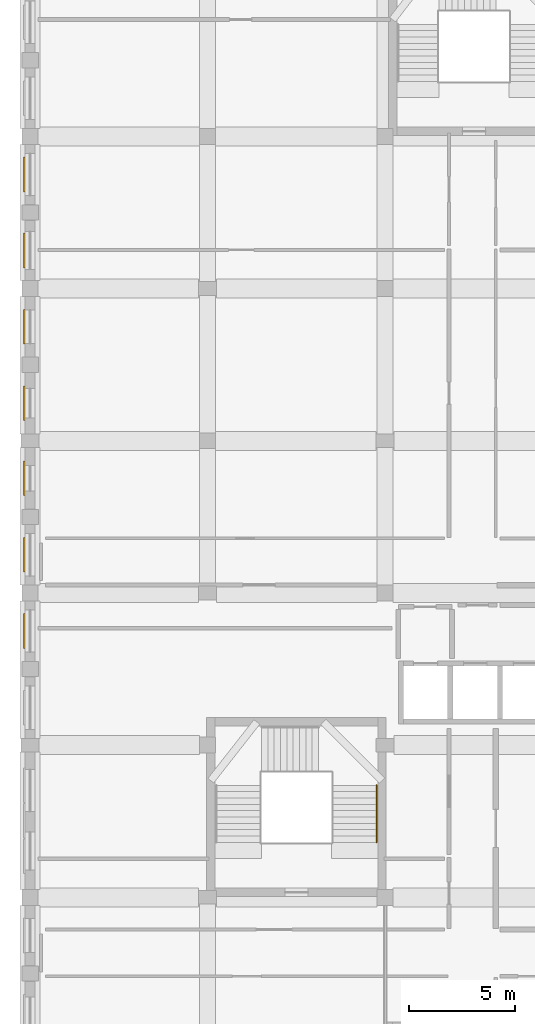
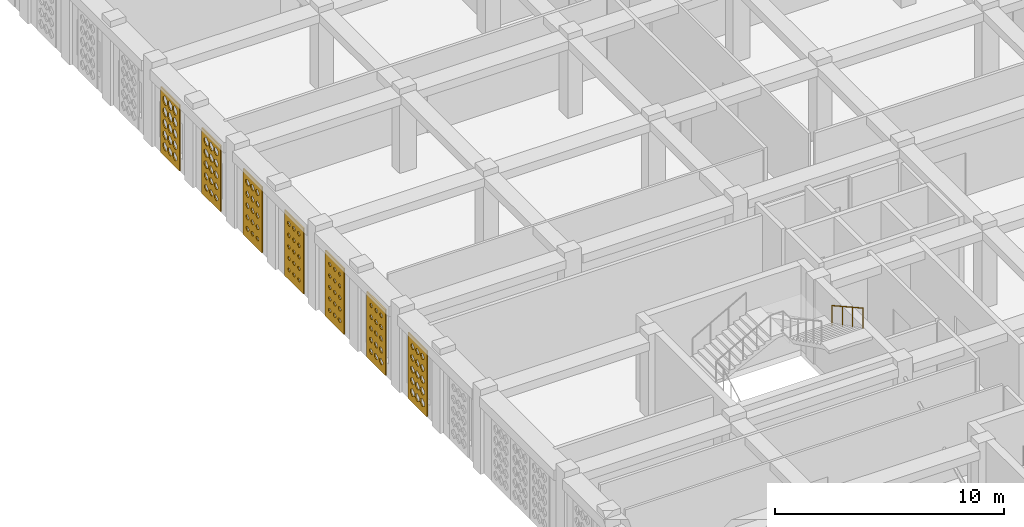
# One storey, part 95 of 121: 7 coverings, 1 railing.
"""IFC4 building model written with IfcOpenShell, lengths in metres."""

from ifc_helpers import new_model, si_unit, derived_unit, direction, frame, origin, origin_2d, place, context, subcontext, project, spatial, polyline, circle, outline, extrude, material, layer, layer_set, type_object, element, save


model = new_model("IFC4")

# Units and contexts
model_context = context("Model", 3, precision=1e-05, world=origin(), true_north=direction((0.0, 1.0)))
body_context = subcontext(model_context, "Body", "Model", "MODEL_VIEW")
ifc_project = project(units=[si_unit("LENGTHUNIT", "METRE"), si_unit("AREAUNIT", "SQUARE_METRE"), si_unit("VOLUMEUNIT", "CUBIC_METRE"), si_unit("PLANEANGLEUNIT", "RADIAN"), si_unit("MASSUNIT", "GRAM", prefix="KILO"), derived_unit("THERMALTRANSMITTANCEUNIT", [(si_unit("POWERUNIT", "WATT"), 1), (si_unit("LENGTHUNIT", "METRE"), -2), (si_unit("THERMODYNAMICTEMPERATUREUNIT", "KELVIN"), -1)])], contexts=[model_context])

# Site, building, storey
site_placement = place(None, origin())
site = spatial("IfcSite", under=ifc_project, at=site_placement, CompositionType="ELEMENT")
building_placement = place(site_placement, origin())
building = spatial("IfcBuilding", under=site, at=building_placement, Name="Veybourne Emporium", CompositionType="ELEMENT")
storey_placement = place(building_placement, frame((0.0, 0.0, 5.39990234375)))
storey = spatial("IfcBuildingStorey", under=building, at=storey_placement, Name="L01", CompositionType="ELEMENT", Elevation=5.39990234375)

# Railing
ifc_material_1 = material(Name="Brushed Stainless Steel", Category="steel")
railing_type = type_object("IfcRailingType", Name="Handrail_HR-01", PredefinedType="HANDRAIL", material=ifc_material_1)
railing_placement = place(storey_placement, frame((16.389892578125, 34.10009765625, 3.150146484375)))
element("IfcRailing", 1, at=railing_placement, inside=storey, type_object=railing_type, Name="L01 ST-02 pitch handrail 3", PredefinedType="HANDRAIL", context=body_context, shape_type="SweptSolid", body=[
    extrude(circle(Radius=0.02392578125, at=origin_2d()), frame((0.0, 0.0, 0.92578125), z_axis=(0.0, -0.874172188743, 0.48561608749), x_axis=(1.0, 0.0, 0.0)), (0.0, 0.0, 1.0), 3.0888671875),
    extrude(circle(Radius=0.02099609375, at=origin_2d()), frame((0.0, 0.0, -0.14990234375)), (0.0, 0.0, 1.0), 1.0517578125),
    extrude(circle(Radius=0.02099609375, at=origin_2d()), frame((0.0, -0.900146484375, 0.35009765625)), (0.0, 0.0, 1.0), 1.0517578125),
    extrude(circle(Radius=0.02099609375, at=origin_2d()), frame((0.0, -1.800048828125, 0.85009765625)), (0.0, 0.0, 1.0), 1.0517578125),
    extrude(circle(Radius=0.02099609375, at=origin_2d()), frame((0.0, -2.7001953125, 1.35009765625)), (0.0, 0.0, 1.0), 1.0517578125),
])

# Coverings
ifc_material_2 = material(Name="Warm-White Perforated Aluminium Screen Alloy", Category="aluminium")
ifc_layer_1 = layer(ifc_material_2, 0.06005859375)
ifc_layer_set_1 = layer_set([ifc_layer_1], Name="Warm-White Perforated Aluminium Screen Alloy")
covering_type_1 = type_object("IfcCoveringType", Name="WaveScreen_SCR-01", PredefinedType="CLADDING", material=ifc_layer_set_1)
covering_1_placement = place(storey_placement, frame((-0.298095703125, 45.00244140625, 1.815185546875), z_axis=(1.0, 0.0, 0.0), x_axis=(0.0, 1.0, 0.0)))
element("IfcCovering", 2, at=covering_1_placement, inside=storey, type_object=covering_type_1, Name="L01 wave-perforated aluminium screen SCR-01 (6A.1)", PredefinedType="CLADDING", context=body_context, shape_type="SweptSolid", body=[
    extrude(outline(polyline([(-0.81982421875, -1.7548828125), (0.81982421875, -1.7548828125), (0.81982421875, 1.7548828125), (-0.81982421875, 1.7548828125), (-0.81982421875, -1.7548828125)]), holes=[polyline([(-0.433349609375, -1.053955078125), (-0.281005859375, -1.165283203125), (-0.281005859375, -1.290771484375), (-0.433349609375, -1.402099609375), (-0.585693359375, -1.290771484375), (-0.585693359375, -1.165283203125), (-0.433349609375, -1.053955078125)]), polyline([(-0.433349609375, -0.45361328125), (-0.2919921875, -0.55615234375), (-0.2919921875, -0.671875), (-0.433349609375, -0.7744140625), (-0.57470703125, -0.671875), (-0.57470703125, -0.55615234375), (-0.433349609375, -0.45361328125)]), polyline([(-0.433349609375, 0.14794921875), (-0.30224609375, 0.05322265625), (-0.30224609375, -0.05322265625), (-0.433349609375, -0.14794921875), (-0.564453125, -0.05322265625), (-0.564453125, 0.05322265625), (-0.433349609375, 0.14794921875)]), polyline([(-0.433349609375, 0.750732421875), (-0.311279296875, 0.6630859375), (-0.311279296875, 0.564697265625), (-0.433349609375, 0.477294921875), (-0.55517578125, 0.564697265625), (-0.55517578125, 0.6630859375), (-0.433349609375, 0.750732421875)]), polyline([(-0.433349609375, 1.355224609375), (-0.3193359375, 1.273681640625), (-0.3193359375, 1.18212890625), (-0.433349609375, 1.100830078125), (-0.54736328125, 1.18212890625), (-0.54736328125, 1.273681640625), (-0.433349609375, 1.355224609375)]), polyline([(0.0, -1.060302734375), (0.147216796875, -1.16748046875), (0.147216796875, -1.288330078125), (0.0, -1.395751953125), (-0.147216796875, -1.288330078125), (-0.147216796875, -1.16748046875), (0.0, -1.060302734375)]), polyline([(0.0, -0.459228515625), (0.13671875, -0.558349609375), (0.13671875, -0.669677734375), (0.0, -0.768798828125), (-0.13671875, -0.669677734375), (-0.13671875, -0.558349609375), (0.0, -0.459228515625)]), polyline([(0.0, 0.142578125), (0.126708984375, 0.051513671875), (0.126708984375, -0.051513671875), (0.0, -0.142578125), (-0.126708984375, -0.051513671875), (-0.126708984375, 0.051513671875), (0.0, 0.142578125)]), polyline([(0.0, 0.74609375), (0.1181640625, 0.66162109375), (0.1181640625, 0.56640625), (0.0, 0.481689453125), (-0.1181640625, 0.56640625), (-0.1181640625, 0.66162109375), (0.0, 0.74609375)]), polyline([(0.0, 1.3515625), (0.111083984375, 1.2724609375), (0.111083984375, 1.18359375), (0.0, 1.1044921875), (-0.111083984375, 1.18359375), (-0.111083984375, 1.2724609375), (0.0, 1.3515625)]), polyline([(0.433349609375, -1.066162109375), (0.57568359375, -1.169921875), (0.57568359375, -1.2861328125), (0.433349609375, -1.389892578125), (0.291015625, -1.2861328125), (0.291015625, -1.169921875), (0.433349609375, -1.066162109375)]), polyline([(0.433349609375, -0.46484375), (0.565185546875, -0.560302734375), (0.565185546875, -0.667724609375), (0.433349609375, -0.76318359375), (0.30126953125, -0.667724609375), (0.30126953125, -0.560302734375), (0.433349609375, -0.46484375)]), polyline([(0.433349609375, 0.1376953125), (0.555908203125, 0.049560546875), (0.555908203125, -0.049560546875), (0.433349609375, -0.1376953125), (0.310546875, -0.049560546875), (0.310546875, 0.049560546875), (0.433349609375, 0.1376953125)]), polyline([(0.433349609375, 0.741943359375), (0.548095703125, 0.66015625), (0.548095703125, 0.56787109375), (0.433349609375, 0.486083984375), (0.318603515625, 0.56787109375), (0.318603515625, 0.66015625), (0.433349609375, 0.741943359375)]), polyline([(0.433349609375, 1.34814453125), (0.54150390625, 1.271240234375), (0.54150390625, 1.184814453125), (0.433349609375, 1.10791015625), (0.324951171875, 1.184814453125), (0.324951171875, 1.271240234375), (0.433349609375, 1.34814453125)])]), origin(), (0.0, 0.0, 1.0), 0.06005859375),
])
covering_2_placement = place(storey_placement, frame((-0.298095703125, 48.62255859375, 1.815185546875), z_axis=(1.0, 0.0, 0.0), x_axis=(0.0, 1.0, 0.0)))
element("IfcCovering", 3, at=covering_2_placement, inside=storey, type_object=covering_type_1, Name="L01 wave-perforated aluminium screen SCR-01 (6B.1)", PredefinedType="CLADDING", context=body_context, shape_type="SweptSolid", body=[
    extrude(outline(polyline([(-0.81982421875, -1.7548828125), (0.81982421875, -1.7548828125), (0.81982421875, 1.7548828125), (-0.81982421875, 1.7548828125), (-0.81982421875, -1.7548828125)]), holes=[polyline([(-0.433349609375, -1.098876953125), (-0.317626953125, -1.181396484375), (-0.317626953125, -1.2744140625), (-0.433349609375, -1.357177734375), (-0.548828125, -1.2744140625), (-0.548828125, -1.181396484375), (-0.433349609375, -1.098876953125)]), polyline([(-0.433349609375, -0.492919921875), (-0.324462890625, -0.570556640625), (-0.324462890625, -0.657470703125), (-0.433349609375, -0.735107421875), (-0.542236328125, -0.657470703125), (-0.542236328125, -0.570556640625), (-0.433349609375, -0.492919921875)]), polyline([(-0.433349609375, 0.114990234375), (-0.329345703125, 0.04150390625), (-0.329345703125, -0.04150390625), (-0.433349609375, -0.114990234375), (-0.537353515625, -0.04150390625), (-0.537353515625, 0.04150390625), (-0.433349609375, 0.114990234375)]), polyline([(-0.433349609375, 0.725341796875), (-0.332275390625, 0.654052734375), (-0.332275390625, 0.573974609375), (-0.433349609375, 0.502685546875), (-0.534423828125, 0.573974609375), (-0.534423828125, 0.654052734375), (-0.433349609375, 0.725341796875)]), polyline([(-0.433349609375, 1.337890625), (-0.333251953125, 1.267578125), (-0.333251953125, 1.1884765625), (-0.433349609375, 1.117919921875), (-0.533203125, 1.1884765625), (-0.533203125, 1.267578125), (-0.433349609375, 1.337890625)]), polyline([(0.0, -1.102783203125), (0.1123046875, -1.18310546875), (0.1123046875, -1.27294921875), (0.0, -1.35302734375), (-0.1123046875, -1.27294921875), (-0.1123046875, -1.18310546875), (0.0, -1.102783203125)]), polyline([(0.0, -0.49609375), (0.1064453125, -0.571533203125), (0.1064453125, -0.656494140625), (0.0, -0.73193359375), (-0.1064453125, -0.656494140625), (-0.1064453125, -0.571533203125), (0.0, -0.49609375)]), polyline([(0.0, 0.113037109375), (0.1025390625, 0.040771484375), (0.1025390625, -0.040771484375), (0.0, -0.113037109375), (-0.1025390625, -0.040771484375), (-0.1025390625, 0.040771484375), (0.0, 0.113037109375)]), polyline([(0.0, 0.724365234375), (0.100341796875, 0.65380859375), (0.100341796875, 0.57421875), (0.0, 0.503662109375), (-0.100341796875, 0.57421875), (-0.100341796875, 0.65380859375), (0.0, 0.724365234375)]), polyline([(0.0, 1.338134765625), (0.10009765625, 1.267578125), (0.10009765625, 1.188232421875), (0.0, 1.117919921875), (-0.10009765625, 1.188232421875), (-0.10009765625, 1.267578125), (0.0, 1.338134765625)]), polyline([(0.433349609375, -1.1064453125), (0.542724609375, -1.18408203125), (0.542724609375, -1.271728515625), (0.433349609375, -1.349609375), (0.32373046875, -1.271728515625), (0.32373046875, -1.18408203125), (0.433349609375, -1.1064453125)]), polyline([(0.433349609375, -0.49853515625), (0.537841796875, -0.572509765625), (0.537841796875, -0.655517578125), (0.433349609375, -0.7294921875), (0.328857421875, -0.655517578125), (0.328857421875, -0.572509765625), (0.433349609375, -0.49853515625)]), polyline([(0.433349609375, 0.111572265625), (0.53466796875, 0.040283203125), (0.53466796875, -0.040283203125), (0.433349609375, -0.111572265625), (0.33203125, -0.040283203125), (0.33203125, 0.040283203125), (0.433349609375, 0.111572265625)]), polyline([(0.433349609375, 0.72412109375), (0.533203125, 0.653564453125), (0.533203125, 0.574462890625), (0.433349609375, 0.50390625), (0.333251953125, 0.574462890625), (0.333251953125, 0.653564453125), (0.433349609375, 0.72412109375)]), polyline([(0.433349609375, 1.3388671875), (0.5341796875, 1.267822265625), (0.5341796875, 1.18798828125), (0.433349609375, 1.1171875), (0.33251953125, 1.18798828125), (0.33251953125, 1.267822265625), (0.433349609375, 1.3388671875)])]), origin(), (0.0, 0.0, 1.0), 0.06005859375),
])
ifc_layer_2 = layer(ifc_material_2, 0.06005859375)
ifc_layer_set_2 = layer_set([ifc_layer_2], Name="Warm-White Perforated Aluminium Screen Alloy")
covering_type_2 = type_object("IfcCoveringType", Name="WaveScreen_SCR-02", PredefinedType="CLADDING", material=ifc_layer_set_2)
covering_3_placement = place(storey_placement, frame((-0.298095703125, 52.177490234375, 1.815185546875), z_axis=(1.0, 0.0, 0.0), x_axis=(0.0, 1.0, 0.0)))
element("IfcCovering", 4, at=covering_3_placement, inside=storey, type_object=covering_type_2, Name="L01 wave-perforated aluminium screen SCR-02 (7A.1)", PredefinedType="CLADDING", context=body_context, shape_type="SweptSolid", body=[
    extrude(outline(polyline([(-0.81982421875, -1.7548828125), (0.81982421875, -1.7548828125), (0.81982421875, 1.7548828125), (-0.81982421875, 1.7548828125), (-0.81982421875, -1.7548828125)]), holes=[polyline([(-0.433349609375, -1.117919921875), (-0.333251953125, -1.1884765625), (-0.333251953125, -1.267578125), (-0.433349609375, -1.338134765625), (-0.533447265625, -1.267578125), (-0.533447265625, -1.1884765625), (-0.433349609375, -1.117919921875)]), polyline([(-0.433349609375, -0.50341796875), (-0.3330078125, -0.57421875), (-0.3330078125, -0.65380859375), (-0.433349609375, -0.724609375), (-0.53369140625, -0.65380859375), (-0.53369140625, -0.57421875), (-0.433349609375, -0.50341796875)]), polyline([(-0.433349609375, 0.113525390625), (-0.33056640625, 0.040771484375), (-0.33056640625, -0.040771484375), (-0.433349609375, -0.113525390625), (-0.5361328125, -0.040771484375), (-0.5361328125, 0.040771484375), (-0.433349609375, 0.113525390625)]), polyline([(-0.433349609375, 0.732666015625), (-0.326171875, 0.65673828125), (-0.326171875, 0.5712890625), (-0.433349609375, 0.495361328125), (-0.540283203125, 0.5712890625), (-0.540283203125, 0.65673828125), (-0.433349609375, 0.732666015625)]), polyline([(-0.433349609375, 1.35400390625), (-0.3203125, 1.2734375), (-0.3203125, 1.1826171875), (-0.433349609375, 1.10205078125), (-0.54638671875, 1.1826171875), (-0.54638671875, 1.2734375), (-0.433349609375, 1.35400390625)]), polyline([(0.0, -1.117919921875), (0.10009765625, -1.1884765625), (0.10009765625, -1.267578125), (0.0, -1.337890625), (-0.10009765625, -1.267578125), (-0.10009765625, -1.1884765625), (0.0, -1.117919921875)]), polyline([(0.0, -0.50244140625), (0.101318359375, -0.57373046875), (0.101318359375, -0.654296875), (0.0, -0.7255859375), (-0.101318359375, -0.654296875), (-0.101318359375, -0.57373046875), (0.0, -0.50244140625)]), polyline([(0.0, 0.115478515625), (0.1044921875, 0.04150390625), (0.1044921875, -0.04150390625), (0.0, -0.115478515625), (-0.1044921875, -0.04150390625), (-0.1044921875, 0.04150390625), (0.0, 0.115478515625)]), polyline([(0.0, 0.735595703125), (0.109619140625, 0.65771484375), (0.109619140625, 0.5703125), (0.0, 0.4921875), (-0.109619140625, 0.5703125), (-0.109619140625, 0.65771484375), (0.0, 0.735595703125)]), polyline([(0.0, 1.358154296875), (0.116455078125, 1.27490234375), (0.116455078125, 1.18115234375), (0.0, 1.097900390625), (-0.116455078125, 1.18115234375), (-0.116455078125, 1.27490234375), (0.0, 1.358154296875)]), polyline([(0.433349609375, -1.11767578125), (0.53369140625, -1.188232421875), (0.53369140625, -1.267822265625), (0.433349609375, -1.33837890625), (0.3330078125, -1.267822265625), (0.3330078125, -1.188232421875), (0.433349609375, -1.11767578125)]), polyline([(0.433349609375, -0.5009765625), (0.535888671875, -0.5732421875), (0.535888671875, -0.65478515625), (0.433349609375, -0.72705078125), (0.330810546875, -0.65478515625), (0.330810546875, -0.5732421875), (0.433349609375, -0.5009765625)]), polyline([(0.433349609375, 0.1181640625), (0.539794921875, 0.04248046875), (0.539794921875, -0.04248046875), (0.433349609375, -0.1181640625), (0.32666015625, -0.04248046875), (0.32666015625, 0.04248046875), (0.433349609375, 0.1181640625)]), polyline([(0.433349609375, 0.7392578125), (0.5458984375, 0.6591796875), (0.5458984375, 0.56884765625), (0.433349609375, 0.48876953125), (0.32080078125, 0.56884765625), (0.32080078125, 0.6591796875), (0.433349609375, 0.7392578125)]), polyline([(0.433349609375, 1.3623046875), (0.55322265625, 1.2763671875), (0.55322265625, 1.1796875), (0.433349609375, 1.093505859375), (0.313232421875, 1.1796875), (0.313232421875, 1.2763671875), (0.433349609375, 1.3623046875)])]), origin(), (0.0, 0.0, 1.0), 0.06005859375),
])
covering_4_placement = place(storey_placement, frame((-0.298095703125, 55.797607421875, 1.815185546875), z_axis=(1.0, 0.0, 0.0), x_axis=(0.0, 1.0, 0.0)))
element("IfcCovering", 5, at=covering_4_placement, inside=storey, type_object=covering_type_2, Name="L01 wave-perforated aluminium screen SCR-02 (7B.1)", PredefinedType="CLADDING", context=body_context, shape_type="SweptSolid", body=[
    extrude(outline(polyline([(-0.81982421875, -1.7548828125), (0.81982421875, -1.7548828125), (0.81982421875, 1.7548828125), (-0.81982421875, 1.7548828125), (-0.81982421875, -1.7548828125)]), holes=[polyline([(-0.433349609375, -1.103759765625), (-0.321533203125, -1.18310546875), (-0.321533203125, -1.272705078125), (-0.433349609375, -1.352294921875), (-0.545166015625, -1.272705078125), (-0.545166015625, -1.18310546875), (-0.433349609375, -1.103759765625)]), polyline([(-0.433349609375, -0.480712890625), (-0.314208984375, -0.56591796875), (-0.314208984375, -0.662109375), (-0.433349609375, -0.747314453125), (-0.552490234375, -0.662109375), (-0.552490234375, -0.56591796875), (-0.433349609375, -0.480712890625)]), polyline([(-0.433349609375, 0.14404296875), (-0.305419921875, 0.0517578125), (-0.305419921875, -0.0517578125), (-0.433349609375, -0.14404296875), (-0.56103515625, -0.0517578125), (-0.56103515625, 0.0517578125), (-0.433349609375, 0.14404296875)]), polyline([(-0.433349609375, 0.77001953125), (-0.295654296875, 0.670166015625), (-0.295654296875, 0.557861328125), (-0.433349609375, 0.4580078125), (-0.571044921875, 0.557861328125), (-0.571044921875, 0.670166015625), (-0.433349609375, 0.77001953125)]), polyline([(-0.433349609375, 1.397216796875), (-0.284912109375, 1.288818359375), (-0.284912109375, 1.1669921875), (-0.433349609375, 1.05859375), (-0.581787109375, 1.1669921875), (-0.581787109375, 1.288818359375), (-0.433349609375, 1.397216796875)]), polyline([(0.0, -1.099853515625), (0.11474609375, -1.181884765625), (0.11474609375, -1.274169921875), (0.0, -1.356201171875), (-0.11474609375, -1.274169921875), (-0.11474609375, -1.181884765625), (0.0, -1.099853515625)]), polyline([(0.0, -0.47607421875), (0.122802734375, -0.564208984375), (0.122802734375, -0.663818359375), (0.0, -0.751953125), (-0.122802734375, -0.663818359375), (-0.122802734375, -0.564208984375), (0.0, -0.47607421875)]), polyline([(0.0, 0.1494140625), (0.132080078125, 0.0537109375), (0.132080078125, -0.0537109375), (0.0, -0.1494140625), (-0.132080078125, -0.0537109375), (-0.132080078125, 0.0537109375), (0.0, 0.1494140625)]), polyline([(0.0, 0.77587890625), (0.142578125, 0.67236328125), (0.142578125, 0.5556640625), (0.0, 0.451904296875), (-0.142578125, 0.5556640625), (-0.142578125, 0.67236328125), (0.0, 0.77587890625)]), polyline([(0.0, 1.403564453125), (0.153564453125, 1.291259765625), (0.153564453125, 1.164794921875), (0.0, 1.052490234375), (-0.153564453125, 1.164794921875), (-0.153564453125, 1.291259765625), (0.0, 1.403564453125)]), polyline([(0.433349609375, -1.095703125), (0.551513671875, -1.180419921875), (0.551513671875, -1.275634765625), (0.433349609375, -1.3603515625), (0.31494140625, -1.275634765625), (0.31494140625, -1.180419921875), (0.433349609375, -1.095703125)]), polyline([(0.433349609375, -0.47119140625), (0.560302734375, -0.5625), (0.560302734375, -0.665283203125), (0.433349609375, -0.7568359375), (0.306396484375, -0.665283203125), (0.306396484375, -0.5625), (0.433349609375, -0.47119140625)]), polyline([(0.433349609375, 0.15478515625), (0.570068359375, 0.055908203125), (0.570068359375, -0.055908203125), (0.433349609375, -0.15478515625), (0.296630859375, -0.055908203125), (0.296630859375, 0.055908203125), (0.433349609375, 0.15478515625)]), polyline([(0.433349609375, 0.781982421875), (0.580810546875, 0.674560546875), (0.580810546875, 0.553466796875), (0.433349609375, 0.446044921875), (0.285888671875, 0.553466796875), (0.285888671875, 0.674560546875), (0.433349609375, 0.781982421875)]), polyline([(0.433349609375, 1.409912109375), (0.592041015625, 1.29345703125), (0.592041015625, 1.16259765625), (0.433349609375, 1.046142578125), (0.2744140625, 1.16259765625), (0.2744140625, 1.29345703125), (0.433349609375, 1.409912109375)])]), origin(), (0.0, 0.0, 1.0), 0.06005859375),
])
ifc_layer_3 = layer(ifc_material_2, 0.06005859375)
ifc_layer_set_3 = layer_set([ifc_layer_3], Name="Warm-White Perforated Aluminium Screen Alloy")
covering_type_3 = type_object("IfcCoveringType", Name="WaveScreen_SCR-03", PredefinedType="CLADDING", material=ifc_layer_set_3)
covering_5_placement = place(storey_placement, frame((-0.298095703125, 59.402587890625, 1.815185546875), z_axis=(1.0, 0.0, 0.0), x_axis=(0.0, 1.0, 0.0)))
element("IfcCovering", 6, at=covering_5_placement, inside=storey, type_object=covering_type_3, Name="L01 wave-perforated aluminium screen SCR-03 (8A.1)", PredefinedType="CLADDING", context=body_context, shape_type="SweptSolid", body=[
    extrude(outline(polyline([(-0.81982421875, -1.7548828125), (0.81982421875, -1.7548828125), (0.81982421875, 1.7548828125), (-0.81982421875, 1.7548828125), (-0.81982421875, -1.7548828125)]), holes=[polyline([(-0.433349609375, -1.061767578125), (-0.287353515625, -1.168212890625), (-0.287353515625, -1.287841796875), (-0.433349609375, -1.394287109375), (-0.579345703125, -1.287841796875), (-0.579345703125, -1.168212890625), (-0.433349609375, -1.061767578125)]), polyline([(-0.433349609375, -0.43408203125), (-0.27587890625, -0.54931640625), (-0.27587890625, -0.6787109375), (-0.433349609375, -0.7939453125), (-0.590576171875, -0.6787109375), (-0.590576171875, -0.54931640625), (-0.433349609375, -0.43408203125)]), polyline([(-0.433349609375, 0.194091796875), (-0.264404296875, 0.06982421875), (-0.264404296875, -0.06982421875), (-0.433349609375, -0.194091796875), (-0.602294921875, -0.06982421875), (-0.602294921875, 0.06982421875), (-0.433349609375, 0.194091796875)]), polyline([(-0.433349609375, 0.822265625), (-0.2529296875, 0.68896484375), (-0.2529296875, 0.5390625), (-0.433349609375, 0.40576171875), (-0.61376953125, 0.5390625), (-0.61376953125, 0.68896484375), (-0.433349609375, 0.822265625)]), polyline([(-0.433349609375, 1.449951171875), (-0.2470703125, 1.307861328125), (-0.2470703125, 1.148193359375), (-0.433349609375, 1.006103515625), (-0.61962890625, 1.148193359375), (-0.61962890625, 1.307861328125), (-0.433349609375, 1.449951171875)]), polyline([(0.0, -1.0556640625), (0.151123046875, -1.166015625), (0.151123046875, -1.2900390625), (0.0, -1.400390625), (-0.151123046875, -1.2900390625), (-0.151123046875, -1.166015625), (0.0, -1.0556640625)]), polyline([(0.0, -0.427490234375), (0.16259765625, -0.546875), (0.16259765625, -0.68115234375), (0.0, -0.80029296875), (-0.16259765625, -0.68115234375), (-0.16259765625, -0.546875), (0.0, -0.427490234375)]), polyline([(0.0, 0.20068359375), (0.174072265625, 0.072265625), (0.174072265625, -0.072265625), (0.0, -0.20068359375), (-0.174072265625, -0.072265625), (-0.174072265625, 0.072265625), (0.0, 0.20068359375)]), polyline([(0.0, 0.82861328125), (0.185546875, 0.691162109375), (0.185546875, 0.536865234375), (0.0, 0.3994140625), (-0.185546875, 0.536865234375), (-0.185546875, 0.691162109375), (0.0, 0.82861328125)]), polyline([(0.0, 1.455810546875), (0.186279296875, 1.31005859375), (0.186279296875, 1.14599609375), (0.0, 1.000244140625), (-0.186279296875, 1.14599609375), (-0.186279296875, 1.31005859375), (0.0, 1.455810546875)]), polyline([(0.433349609375, -1.04931640625), (0.589599609375, -1.163818359375), (0.589599609375, -1.292236328125), (0.433349609375, -1.40673828125), (0.277099609375, -1.292236328125), (0.277099609375, -1.163818359375), (0.433349609375, -1.04931640625)]), polyline([(0.433349609375, -0.421142578125), (0.60107421875, -0.544677734375), (0.60107421875, -0.683349609375), (0.433349609375, -0.806884765625), (0.265625, -0.683349609375), (0.265625, -0.544677734375), (0.433349609375, -0.421142578125)]), polyline([(0.433349609375, 0.206787109375), (0.61279296875, 0.074462890625), (0.61279296875, -0.074462890625), (0.433349609375, -0.206787109375), (0.25390625, -0.074462890625), (0.25390625, 0.074462890625), (0.433349609375, 0.206787109375)]), polyline([(0.433349609375, 0.834716796875), (0.61962890625, 0.693359375), (0.61962890625, 0.53466796875), (0.433349609375, 0.393310546875), (0.2470703125, 0.53466796875), (0.2470703125, 0.693359375), (0.433349609375, 0.834716796875)]), polyline([(0.433349609375, 1.46142578125), (0.61962890625, 1.31201171875), (0.61962890625, 1.143798828125), (0.433349609375, 0.994384765625), (0.2470703125, 1.143798828125), (0.2470703125, 1.31201171875), (0.433349609375, 1.46142578125)])]), origin(), (0.0, 0.0, 1.0), 0.06005859375),
])
covering_6_placement = place(storey_placement, frame((-0.298095703125, 62.99755859375, 1.815185546875), z_axis=(1.0, 0.0, 0.0), x_axis=(0.0, 1.0, 0.0)))
element("IfcCovering", 7, at=covering_6_placement, inside=storey, type_object=covering_type_3, Name="L01 wave-perforated aluminium screen SCR-03 (8B.1)", PredefinedType="CLADDING", context=body_context, shape_type="SweptSolid", body=[
    extrude(outline(polyline([(-0.81982421875, -1.7548828125), (0.81982421875, -1.7548828125), (0.81982421875, 1.7548828125), (-0.81982421875, 1.7548828125), (-0.81982421875, -1.7548828125)]), holes=[polyline([(-0.433349609375, -1.00927734375), (-0.2470703125, -1.1494140625), (-0.2470703125, -1.306640625), (-0.433349609375, -1.44677734375), (-0.61962890625, -1.306640625), (-0.61962890625, -1.1494140625), (-0.433349609375, -1.00927734375)]), polyline([(-0.433349609375, -0.38232421875), (-0.2470703125, -0.530517578125), (-0.2470703125, -0.697509765625), (-0.433349609375, -0.845703125), (-0.61962890625, -0.697509765625), (-0.61962890625, -0.530517578125), (-0.433349609375, -0.38232421875)]), polyline([(-0.433349609375, 0.243408203125), (-0.2470703125, 0.087646484375), (-0.2470703125, -0.087646484375), (-0.433349609375, -0.243408203125), (-0.61962890625, -0.087646484375), (-0.61962890625, 0.087646484375), (-0.433349609375, 0.243408203125)]), polyline([(-0.433349609375, 0.867919921875), (-0.2470703125, 0.705322265625), (-0.2470703125, 0.522705078125), (-0.433349609375, 0.360107421875), (-0.61962890625, 0.522705078125), (-0.61962890625, 0.705322265625), (-0.433349609375, 0.867919921875)]), polyline([(-0.433349609375, 1.490478515625), (-0.2470703125, 1.322509765625), (-0.2470703125, 1.133544921875), (-0.433349609375, 0.965576171875), (-0.61962890625, 1.133544921875), (-0.61962890625, 1.322509765625), (-0.433349609375, 1.490478515625)]), polyline([(0.0, -1.00341796875), (0.186279296875, -1.147216796875), (0.186279296875, -1.308837890625), (0.0, -1.45263671875), (-0.186279296875, -1.308837890625), (-0.186279296875, -1.147216796875), (0.0, -1.00341796875)]), polyline([(0.0, -0.376708984375), (0.186279296875, -0.528564453125), (0.186279296875, -0.699462890625), (0.0, -0.851318359375), (-0.186279296875, -0.699462890625), (-0.186279296875, -0.528564453125), (0.0, -0.376708984375)]), polyline([(0.0, 0.248291015625), (0.186279296875, 0.08935546875), (0.186279296875, -0.08935546875), (0.0, -0.248291015625), (-0.186279296875, -0.08935546875), (-0.186279296875, 0.08935546875), (0.0, 0.248291015625)]), polyline([(0.0, 0.8720703125), (0.186279296875, 0.706787109375), (0.186279296875, 0.52099609375), (0.0, 0.35595703125), (-0.186279296875, 0.52099609375), (-0.186279296875, 0.706787109375), (0.0, 0.8720703125)]), polyline([(0.0, 1.491943359375), (0.186279296875, 1.322998046875), (0.186279296875, 1.133056640625), (0.0, 0.964111328125), (-0.186279296875, 1.133056640625), (-0.186279296875, 1.322998046875), (0.0, 1.491943359375)]), polyline([(0.433349609375, -0.99755859375), (0.61962890625, -1.14501953125), (0.61962890625, -1.31103515625), (0.433349609375, -1.45849609375), (0.2470703125, -1.31103515625), (0.2470703125, -1.14501953125), (0.433349609375, -0.99755859375)]), polyline([(0.433349609375, -0.37158203125), (0.61962890625, -0.526611328125), (0.61962890625, -0.701416015625), (0.433349609375, -0.8564453125), (0.2470703125, -0.701416015625), (0.2470703125, -0.526611328125), (0.433349609375, -0.37158203125)]), polyline([(0.433349609375, 0.2529296875), (0.61962890625, 0.091064453125), (0.61962890625, -0.091064453125), (0.433349609375, -0.2529296875), (0.2470703125, -0.091064453125), (0.2470703125, 0.091064453125), (0.433349609375, 0.2529296875)]), polyline([(0.433349609375, 0.875732421875), (0.61962890625, 0.708251953125), (0.61962890625, 0.519775390625), (0.433349609375, 0.352294921875), (0.2470703125, 0.519775390625), (0.2470703125, 0.708251953125), (0.433349609375, 0.875732421875)]), polyline([(0.433349609375, 1.491943359375), (0.61962890625, 1.322998046875), (0.61962890625, 1.133056640625), (0.433349609375, 0.964111328125), (0.2470703125, 1.133056640625), (0.2470703125, 1.322998046875), (0.433349609375, 1.491943359375)])]), origin(), (0.0, 0.0, 1.0), 0.06005859375),
])
ifc_layer_4 = layer(ifc_material_2, 0.06005859375)
ifc_layer_set_4 = layer_set([ifc_layer_4], Name="Warm-White Perforated Aluminium Screen Alloy")
covering_type_4 = type_object("IfcCoveringType", Name="WaveScreen_SCR-04", PredefinedType="CLADDING", material=ifc_layer_set_4)
covering_7_placement = place(storey_placement, frame((-0.298095703125, 41.3974609375, 1.815185546875), z_axis=(1.0, 0.0, 0.0), x_axis=(0.0, 1.0, 0.0)))
element("IfcCovering", 8, at=covering_7_placement, inside=storey, type_object=covering_type_4, Name="L01 wave-perforated aluminium screen SCR-04 (5B.1)", PredefinedType="CLADDING", context=body_context, shape_type="SweptSolid", body=[
    extrude(outline(polyline([(-0.81982421875, -1.7548828125), (0.81982421875, -1.7548828125), (0.81982421875, 1.7548828125), (-0.81982421875, 1.7548828125), (-0.81982421875, -1.7548828125)]), holes=[polyline([(-0.433349609375, -1.001708984375), (-0.2470703125, -1.146484375), (-0.2470703125, -1.3095703125), (-0.433349609375, -1.454345703125), (-0.61962890625, -1.3095703125), (-0.61962890625, -1.146484375), (-0.433349609375, -1.001708984375)]), polyline([(-0.433349609375, -0.40087890625), (-0.2490234375, -0.537353515625), (-0.2490234375, -0.690673828125), (-0.433349609375, -0.826904296875), (-0.61767578125, -0.690673828125), (-0.61767578125, -0.537353515625), (-0.433349609375, -0.40087890625)]), polyline([(-0.433349609375, 0.198974609375), (-0.260498046875, 0.07177734375), (-0.260498046875, -0.07177734375), (-0.433349609375, -0.198974609375), (-0.606201171875, -0.07177734375), (-0.606201171875, 0.07177734375), (-0.433349609375, 0.198974609375)]), polyline([(-0.433349609375, 0.798828125), (-0.272216796875, 0.6806640625), (-0.272216796875, 0.54736328125), (-0.433349609375, 0.42919921875), (-0.594482421875, 0.54736328125), (-0.594482421875, 0.6806640625), (-0.433349609375, 0.798828125)]), polyline([(-0.433349609375, 1.39892578125), (-0.283447265625, 1.28955078125), (-0.283447265625, 1.16650390625), (-0.433349609375, 1.05712890625), (-0.583251953125, 1.16650390625), (-0.583251953125, 1.28955078125), (-0.433349609375, 1.39892578125)]), polyline([(0.0, -1.007568359375), (0.186279296875, -1.148681640625), (0.186279296875, -1.307373046875), (0.0, -1.448486328125), (-0.186279296875, -1.307373046875), (-0.186279296875, -1.148681640625), (0.0, -1.007568359375)]), polyline([(0.0, -0.4072265625), (0.17919921875, -0.53955078125), (0.17919921875, -0.6884765625), (0.0, -0.82080078125), (-0.17919921875, -0.6884765625), (-0.17919921875, -0.53955078125), (0.0, -0.4072265625)]), polyline([(0.0, 0.192626953125), (0.16748046875, 0.0693359375), (0.16748046875, -0.0693359375), (0.0, -0.192626953125), (-0.16748046875, -0.0693359375), (-0.16748046875, 0.0693359375), (0.0, 0.192626953125)]), polyline([(0.0, 0.79248046875), (0.156005859375, 0.67822265625), (0.156005859375, 0.5498046875), (0.0, 0.435546875), (-0.156005859375, 0.5498046875), (-0.156005859375, 0.67822265625), (0.0, 0.79248046875)]), polyline([(0.0, 1.392822265625), (0.144775390625, 1.287353515625), (0.144775390625, 1.168701171875), (0.0, 1.063232421875), (-0.144775390625, 1.168701171875), (-0.144775390625, 1.287353515625), (0.0, 1.392822265625)]), polyline([(0.433349609375, -1.013671875), (0.61865234375, -1.15087890625), (0.61865234375, -1.30517578125), (0.433349609375, -1.4423828125), (0.248046875, -1.30517578125), (0.248046875, -1.15087890625), (0.433349609375, -1.013671875)]), polyline([(0.433349609375, -0.413818359375), (0.607177734375, -0.5419921875), (0.607177734375, -0.68603515625), (0.433349609375, -0.814208984375), (0.259521484375, -0.68603515625), (0.259521484375, -0.5419921875), (0.433349609375, -0.413818359375)]), polyline([(0.433349609375, 0.186279296875), (0.595703125, 0.06689453125), (0.595703125, -0.06689453125), (0.433349609375, -0.186279296875), (0.27099609375, -0.06689453125), (0.27099609375, 0.06689453125), (0.433349609375, 0.186279296875)]), polyline([(0.433349609375, 0.7861328125), (0.584228515625, 0.676025390625), (0.584228515625, 0.552001953125), (0.433349609375, 0.44189453125), (0.282470703125, 0.552001953125), (0.282470703125, 0.676025390625), (0.433349609375, 0.7861328125)]), polyline([(0.433349609375, 1.38671875), (0.5732421875, 1.28515625), (0.5732421875, 1.1708984375), (0.433349609375, 1.069091796875), (0.29345703125, 1.1708984375), (0.29345703125, 1.28515625), (0.433349609375, 1.38671875)])]), origin(), (0.0, 0.0, 1.0), 0.06005859375),
])

save(model, "model.ifc")
